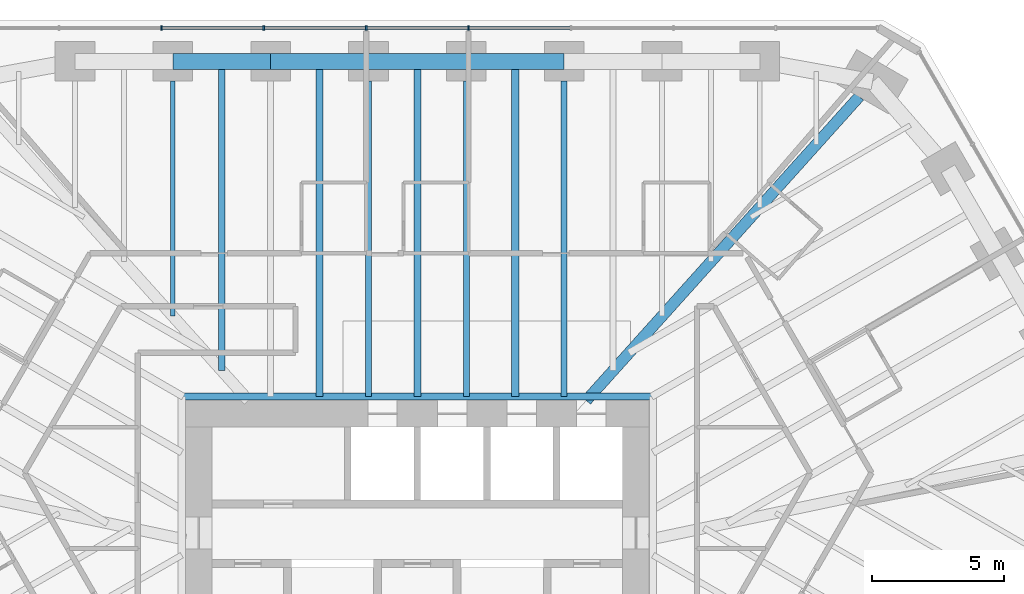
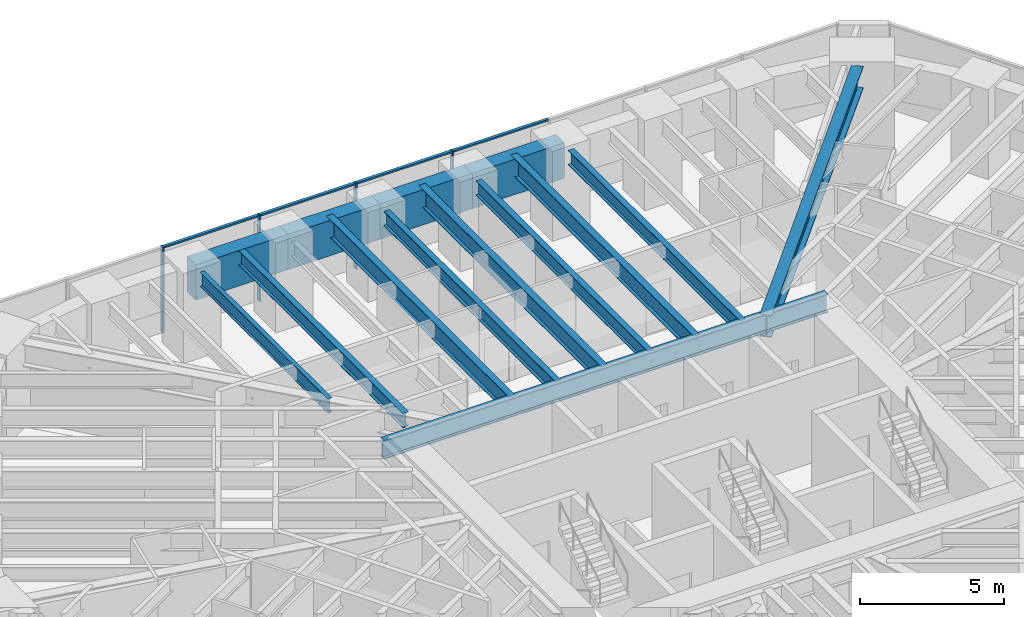
# One storey, part 8 of 16: 14 beams, 8 members, 1 element without a shape of its own.
"""IFC4 building model written with IfcOpenShell, lengths in metres."""

import ifcopenshell
import ifcopenshell.guid

model = None  # the IFC model being written
_history = None  # IfcOwnerHistory: only IFC2X3 demands one
_inside = {}  # id of a spatial element -> (the spatial element, [elements in it])
_under = {}  # id of a project, library or spatial element -> (it, [spatial elements below it])
_declared = {}  # id of a project -> (the project, [libraries it declares])
_typed = {}  # id of a type object -> (the type object, [elements of that type])
_made_of = {}  # id of a material, layer set ... -> (it, [elements and type objects made of it])


def new_model(schema):
    """Start an empty IFC model of exactly this schema.

    Asked for "IFC4X3", IfcOpenShell would pick the latest addendum, in which some entities
    have other attributes; the version numbers below select the first issue.
    IFC2X3 requires an IfcOwnerHistory on every rooted entity: one is made here for all.
    """
    global model, _history
    if schema == "IFC4X3":
        model = ifcopenshell.file(schema_version=(4, 3, 0, 0))
    else:
        model = ifcopenshell.file(schema=schema)
    _inside.clear()
    _under.clear()
    _declared.clear()
    _typed.clear()
    _made_of.clear()
    _history = None
    if model.schema == "IFC2X3":
        org = make("IfcOrganization", Name="unknown")
        user = make(
            "IfcPersonAndOrganization",
            ThePerson=make("IfcPerson", FamilyName="unknown"),
            TheOrganization=org,
        )
        app = make(
            "IfcApplication",
            ApplicationDeveloper=org,
            Version="unknown",
            ApplicationFullName="unknown",
            ApplicationIdentifier="unknown",
        )
        _history = make(
            "IfcOwnerHistory",
            OwningUser=user,
            OwningApplication=app,
            ChangeAction="ADDED",
            CreationDate=0,
        )
    return model


def make(cls, **values):
    """One entity of the class cls with the attributes given. An attribute that is None is left unset."""
    return model.create_entity(
        cls, **{name: value for name, value in values.items() if value is not None}
    )


def rooted(cls, **values):
    """An entity with a GlobalId (a new one), such as an element, a storey or a relation."""
    return make(cls, GlobalId=ifcopenshell.guid.new(), OwnerHistory=_history, **values)


def si_unit(unit_type, name, prefix=None):
    """IfcSIUnit, for example si_unit("LENGTHUNIT", "METRE", prefix="MILLI")."""
    return make("IfcSIUnit", UnitType=unit_type, Prefix=prefix, Name=name)


def assignment(units):
    """IfcUnitAssignment: the units of a project."""
    return None if units is None else make("IfcUnitAssignment", Units=units)


def point(xyz):
    """IfcCartesianPoint."""
    return None if xyz is None else make("IfcCartesianPoint", Coordinates=xyz)


def direction(xyz):
    """IfcDirection."""
    return None if xyz is None else make("IfcDirection", DirectionRatios=xyz)


def frame(location, z_axis=None, x_axis=None):
    """IfcAxis2Placement3D, a coordinate frame: its origin and axes. An axis left out is left unset."""
    return make(
        "IfcAxis2Placement3D",
        Location=point(location),
        Axis=direction(z_axis),
        RefDirection=direction(x_axis),
    )


def frame_2d(location, x_axis=None):
    """IfcAxis2Placement2D, a coordinate frame in the plane: its origin and x axis."""
    return make(
        "IfcAxis2Placement2D", Location=point(location), RefDirection=direction(x_axis)
    )


def origin():
    """The frame at (0, 0, 0) with its axes left unset."""
    return frame((0.0, 0.0, 0.0))


def origin_2d():
    """The frame at (0, 0) in the plane with its x axis left unset."""
    return frame_2d((0.0, 0.0))


def place(relative_to, where):
    """IfcLocalPlacement: puts the frame where relative to a parent placement (None: the world)."""
    return make(
        "IfcLocalPlacement", PlacementRelTo=relative_to, RelativePlacement=where
    )


def context(
    kind, dimensions, precision=None, world=None, true_north=None, identifier=None
):
    """IfcGeometricRepresentationContext, for example the 3D "Model" context."""
    return make(
        "IfcGeometricRepresentationContext",
        ContextIdentifier=identifier,
        ContextType=kind,
        CoordinateSpaceDimension=dimensions,
        Precision=precision,
        WorldCoordinateSystem=world,
        TrueNorth=true_north,
    )


def subcontext(parent, identifier, kind, view, scale=None):
    """IfcGeometricRepresentationSubContext, for example "Body" below "Model"."""
    return make(
        "IfcGeometricRepresentationSubContext",
        ContextIdentifier=identifier,
        ContextType=kind,
        ParentContext=parent,
        TargetScale=scale,
        TargetView=view,
    )


def project(units=None, contexts=None):
    """IfcProject with its units and contexts."""
    return rooted(
        "IfcProject",
        Name="project",
        RepresentationContexts=contexts,
        UnitsInContext=assignment(units),
    )


def spatial(cls, under=None, at=None, **own):
    """A site, building, storey or space (cls), placed at a placement, below another one or the project."""
    s = rooted(cls, ObjectPlacement=at, **own)
    if under is not None:
        _under.setdefault(under.id(), (under, []))[1].append(s)
    return s


def profile(cls, at=None, kind="AREA", **sizes):
    """A parametric profile (cls). Its sizes go by their IFC names, for example OverallWidth=200.0."""
    return make(cls, ProfileType=kind, Position=at, **sizes)


def rectangle(**sizes):
    """IfcRectangleProfileDef."""
    return profile("IfcRectangleProfileDef", **sizes)


def i_section(**sizes):
    """IfcIShapeProfileDef."""
    return profile("IfcIShapeProfileDef", **sizes)


def extrude(swept, where, along, depth):
    """IfcExtrudedAreaSolid: the profile swept, set in the frame where, extruded along a direction by depth."""
    return make(
        "IfcExtrudedAreaSolid",
        SweptArea=swept,
        Position=where,
        ExtrudedDirection=direction(along),
        Depth=depth,
    )


def shape(context_of_items, identifier, shape_type, items):
    """IfcShapeRepresentation: the items that make up one representation, for example the "Body"."""
    return make(
        "IfcShapeRepresentation",
        ContextOfItems=context_of_items,
        RepresentationIdentifier=identifier,
        RepresentationType=shape_type,
        Items=items,
    )


def material(Name=None, Category=None):
    """IfcMaterial."""
    return make("IfcMaterial", Name=Name, Category=Category)


def material_profile(
    of_material, cross_section, Name=None, Category=None, Priority=None
):
    """IfcMaterialProfile: a cross section and its material."""
    return make(
        "IfcMaterialProfile",
        Name=Name,
        Material=of_material,
        Profile=cross_section,
        Priority=Priority,
        Category=Category,
    )


def profile_set(profiles, Name=None, composite=None):
    """IfcMaterialProfileSet."""
    return make(
        "IfcMaterialProfileSet",
        Name=Name,
        MaterialProfiles=profiles,
        CompositeProfile=composite,
    )


def made_of(thing, what):
    """Note that an element or type object is made of a material, layer set ...; save() writes the relation."""
    if what is not None:
        _made_of.setdefault(what.id(), (what, []))[1].append(thing)
    return thing


def type_object(cls, material=None, **own):
    """A type object (cls), such as IfcWallType, which elements share."""
    return made_of(rooted(cls, **own), material)


def element(
    cls,
    number,
    at=None,
    inside=None,
    cuts=None,
    type_object=None,
    material=None,
    context=None,
    identifier="Body",
    shape_type=None,
    held_by="IfcProductDefinitionShape",
    body=None,
    shapes=None,
    **own,
):
    """One element of the class cls, such as IfcWall. Its Tag is "e" and its number.

    at: its placement. inside: the storey or other place that contains it. cuts: it is an
    opening in that element (IfcRelVoidsElement). A single representation is given by context,
    identifier, shape_type and body (its items); several are given by shapes. held_by: the class
    of the entity that holds the representations. save() writes the other relations.
    """
    e = rooted(cls, Tag="e%d" % number, ObjectPlacement=at, **own)
    if body is not None:
        shapes = [shape(context, identifier, shape_type, body)]
    if shapes is not None:
        e.Representation = make(held_by, Representations=shapes)
    if inside is not None:
        _inside.setdefault(inside.id(), (inside, []))[1].append(e)
    if cuts is not None:
        rooted(
            "IfcRelVoidsElement", RelatingBuildingElement=cuts, RelatedOpeningElement=e
        )
    if type_object is not None:
        _typed.setdefault(type_object.id(), (type_object, []))[1].append(e)
    return made_of(e, material)


def aggregate(whole, parts):
    """IfcRelAggregates: a whole, such as a stair, and the parts it consists of."""
    return rooted("IfcRelAggregates", RelatingObject=whole, RelatedObjects=parts)


def save(model, path):
    """Write the relations noted so far, then the file.

    IfcRelAggregates (storeys below a building ...), IfcRelContainedInSpatialStructure (elements
    in a storey), IfcRelDefinesByType, IfcRelAssociatesMaterial and IfcRelDeclares: one each for
    every whole, place, type object, material and project.
    """
    for whole, parts in _under.values():
        aggregate(whole, parts)
    for where, things in _inside.values():
        rooted(
            "IfcRelContainedInSpatialStructure",
            RelatedElements=things,
            RelatingStructure=where,
        )
    for kind, things in _typed.values():
        rooted("IfcRelDefinesByType", RelatedObjects=things, RelatingType=kind)
    for what, things in _made_of.values():
        rooted("IfcRelAssociatesMaterial", RelatedObjects=things, RelatingMaterial=what)
    for by, libraries in _declared.values():
        rooted("IfcRelDeclares", RelatingContext=by, RelatedDefinitions=libraries)
    model.write(path)


model = new_model("IFC4")

# Units and contexts
model_context = context("Model", 3, precision=1e-05, world=origin(), true_north=direction((0.0, 1.0)))
body_context = subcontext(model_context, "Body", "Model", "MODEL_VIEW")
ifc_project = project(units=[si_unit("LENGTHUNIT", "METRE"), si_unit("AREAUNIT", "SQUARE_METRE"), si_unit("VOLUMEUNIT", "CUBIC_METRE"), si_unit("PLANEANGLEUNIT", "RADIAN"), si_unit("MASSUNIT", "GRAM", prefix="KILO")], contexts=[model_context])

# Site, building, storey
site_placement = place(None, origin())
site = spatial("IfcSite", under=ifc_project, at=site_placement, CompositionType="ELEMENT")
building_placement = place(site_placement, origin())
building = spatial("IfcBuilding", under=site, at=building_placement, Name="Sandreach Pilgrim Tower", CompositionType="ELEMENT")
storey_placement = place(building_placement, frame((0.0, 0.0, 190.800048828125)))
storey = spatial("IfcBuildingStorey", under=building, at=storey_placement, Name="L47", CompositionType="ELEMENT", Elevation=190.800048828125)

# Curtain wall, members
ifc_material_1 = material(Name="Aluminium framed curtain wall", Category="aluminium")
curtain_wall_type = type_object("IfcCurtainWallType", Name="Upper hotel tower curtain wall", PredefinedType="NOTDEFINED", material=ifc_material_1)
curtain_wall_placement = place(storey_placement, origin())
curtain_wall = element("IfcCurtainWall", 1, at=curtain_wall_placement, inside=storey, type_object=curtain_wall_type, Name="CW-3 L47 N", PredefinedType="NOTDEFINED")
ifc_material_2 = material(Name="Aluminium extrusion", Category="aluminium")
ifc_material_profile_1 = material_profile(ifc_material_2, rectangle(XDim=0.06494140625, YDim=0.159912109375, at=origin_2d()), Name="CW-3M 65X160")
ifc_profile_set_1 = profile_set([ifc_material_profile_1], Name="Aluminium extrusion")
member_type_1 = type_object("IfcMemberType", Name="CW-3 mullion", PredefinedType="MULLION", material=ifc_profile_set_1)
member_1_placement = place(storey_placement, frame((-9.6611328125, 21.16015625, 0.0), z_axis=(0.0, 0.0, 1.0), x_axis=(1.0, 0.0, 0.0)))
member_1 = element("IfcMember", 2, at=member_1_placement, type_object=member_type_1, Name="CW-3 mullion 3", PredefinedType="MULLION", context=body_context, shape_type="SweptSolid", body=[
    extrude(rectangle(XDim=0.06494140625, YDim=0.159912109375, at=origin_2d()), origin(), (0.0, 0.0, 1.0), 3.639892578125),
])
member_2_placement = place(storey_placement, frame((-5.796630859375, 21.16015625, 0.0), z_axis=(0.0, 0.0, 1.0), x_axis=(1.0, 0.0, 0.0)))
member_2 = element("IfcMember", 3, at=member_2_placement, type_object=member_type_1, Name="CW-3 mullion 4", PredefinedType="MULLION", context=body_context, shape_type="SweptSolid", body=[
    extrude(rectangle(XDim=0.06494140625, YDim=0.159912109375, at=origin_2d()), origin(), (0.0, 0.0, 1.0), 3.639892578125),
])
member_3_placement = place(storey_placement, frame((-1.93212890625, 21.16015625, 0.0), z_axis=(0.0, 0.0, 1.0), x_axis=(1.0, 0.0, 0.0)))
member_3 = element("IfcMember", 4, at=member_3_placement, type_object=member_type_1, Name="CW-3 mullion 5", PredefinedType="MULLION", context=body_context, shape_type="SweptSolid", body=[
    extrude(rectangle(XDim=0.06494140625, YDim=0.159912109375, at=origin_2d()), origin(), (0.0, 0.0, 1.0), 3.639892578125),
])
member_4_placement = place(storey_placement, frame((1.93212890625, 21.16015625, 0.0), z_axis=(0.0, 0.0, 1.0), x_axis=(1.0, 0.0, 0.0)))
member_4 = element("IfcMember", 5, at=member_4_placement, type_object=member_type_1, Name="CW-3 mullion 6", PredefinedType="MULLION", context=body_context, shape_type="SweptSolid", body=[
    extrude(rectangle(XDim=0.06494140625, YDim=0.159912109375, at=origin_2d()), origin(), (0.0, 0.0, 1.0), 3.639892578125),
])
ifc_material_3 = material(Name="Aluminium extrusion", Category="aluminium")
ifc_material_profile_2 = material_profile(ifc_material_3, rectangle(XDim=0.1201171875, YDim=0.070068359375, at=origin_2d()), Name="CW-3T 120X70")
ifc_profile_set_2 = profile_set([ifc_material_profile_2], Name="Aluminium extrusion")
member_type_2 = type_object("IfcMemberType", Name="CW-3 transom", PredefinedType="USERDEFINED", material=ifc_profile_set_2)
member_5_placement = place(storey_placement, frame((-9.628662109375, 21.16015625, 3.60498046875), z_axis=(1.0, 0.0, 0.0), x_axis=(0.0, 1.0, 0.0)))
member_5 = element("IfcMember", 6, at=member_5_placement, type_object=member_type_2, Name="CW-3 head transom 3", ObjectType="TRANSOM", PredefinedType="USERDEFINED", context=body_context, shape_type="SweptSolid", body=[
    extrude(rectangle(XDim=0.1201171875, YDim=0.070068359375, at=origin_2d()), origin(), (0.0, 0.0, 1.0), 3.799560546875),
])
member_6_placement = place(storey_placement, frame((-5.76416015625, 21.16015625, 3.60498046875), z_axis=(1.0, 0.0, 0.0), x_axis=(0.0, 1.0, 0.0)))
member_6 = element("IfcMember", 7, at=member_6_placement, type_object=member_type_2, Name="CW-3 head transom 4", ObjectType="TRANSOM", PredefinedType="USERDEFINED", context=body_context, shape_type="SweptSolid", body=[
    extrude(rectangle(XDim=0.1201171875, YDim=0.070068359375, at=origin_2d()), origin(), (0.0, 0.0, 1.0), 3.799560546875),
])
member_7_placement = place(storey_placement, frame((-1.899658203125, 21.16015625, 3.60498046875), z_axis=(1.0, 0.0, 0.0), x_axis=(0.0, 1.0, 0.0)))
member_7 = element("IfcMember", 8, at=member_7_placement, type_object=member_type_2, Name="CW-3 head transom 5", ObjectType="TRANSOM", PredefinedType="USERDEFINED", context=body_context, shape_type="SweptSolid", body=[
    extrude(rectangle(XDim=0.1201171875, YDim=0.070068359375, at=origin_2d()), origin(), (0.0, 0.0, 1.0), 3.79931640625),
])
member_8_placement = place(storey_placement, frame((1.964599609375, 21.16015625, 3.60498046875), z_axis=(1.0, 0.0, 0.0), x_axis=(0.0, 1.0, 0.0)))
member_8 = element("IfcMember", 9, at=member_8_placement, type_object=member_type_2, Name="CW-3 head transom 6", ObjectType="TRANSOM", PredefinedType="USERDEFINED", context=body_context, shape_type="SweptSolid", body=[
    extrude(rectangle(XDim=0.1201171875, YDim=0.070068359375, at=origin_2d()), origin(), (0.0, 0.0, 1.0), 3.799560546875),
])
aggregate(curtain_wall, [member_1, member_2, member_3, member_4, member_5, member_6, member_7, member_8])

# Beams
ifc_material_4 = material(Name="Steel ASTM A992 Grade 50", Category="steel")
ifc_material_profile_3 = material_profile(ifc_material_4, i_section(OverallWidth=0.2666015625, OverallDepth=0.77978515625, WebThickness=0.0166015625, FlangeThickness=0.030029296875, at=origin_2d()), Name="W30X148")
ifc_profile_set_3 = profile_set([ifc_material_profile_3], Name="Steel ASTM A992 Grade 50")
beam_type_1 = type_object("IfcBeamType", Name="Core edge beam W30X148", PredefinedType="BEAM", material=ifc_profile_set_3)
beam_1_placement = place(storey_placement, frame((-8.893310546875, 7.243408203125, 3.25), z_axis=(1.0, 0.0, 0.0), x_axis=(0.0, 1.0, 0.0)))
element("IfcBeam", 10, at=beam_1_placement, inside=storey, type_object=beam_type_1, Name="BM L47 CEN", PredefinedType="BEAM", context=body_context, shape_type="SweptSolid", body=[
    extrude(i_section(OverallWidth=0.2666015625, OverallDepth=0.77978515625, WebThickness=0.0166015625, FlangeThickness=0.030029296875, at=origin_2d()), origin(), (0.0, 0.0, 1.0), 17.78662109375),
])
ifc_material_5 = material(Name="Steel ASTM A992 Grade 50", Category="steel")
ifc_material_profile_4 = material_profile(ifc_material_5, i_section(OverallWidth=0.421630859375, OverallDepth=0.937255859375, WebThickness=0.0224609375, FlangeThickness=0.039794921875, at=origin_2d()), Name="W36X282")
ifc_profile_set_4 = profile_set([ifc_material_profile_4], Name="Steel ASTM A992 Grade 50")
beam_type_2 = type_object("IfcBeamType", Name="Corner girder W36X282", PredefinedType="BEAM", material=ifc_profile_set_4)
beam_2_placement = place(storey_placement, frame((16.677001953125, 18.572509765625, 3.17138671875), z_axis=(-0.668116607722, -0.744056582853, 0.0), x_axis=(0.744056582853, -0.668116607722, 0.0)))
element("IfcBeam", 11, at=beam_2_placement, inside=storey, type_object=beam_type_2, Name="BM L47 CG09", PredefinedType="BEAM", context=body_context, shape_type="SweptSolid", body=[
    extrude(i_section(OverallWidth=0.421630859375, OverallDepth=0.937255859375, WebThickness=0.0224609375, FlangeThickness=0.039794921875, at=origin_2d()), origin(), (0.0, 0.0, 1.0), 15.418701171875),
])
ifc_material_6 = material(Name="Steel ASTM A992 Grade 50", Category="steel")
ifc_material_profile_5 = material_profile(ifc_material_6, i_section(OverallWidth=0.1787109375, OverallDepth=0.60205078125, WebThickness=0.010986328125, FlangeThickness=0.014892578125, at=origin_2d()), Name="W24X62")
ifc_profile_set_5 = profile_set([ifc_material_profile_5], Name="Steel ASTM A992 Grade 50")
beam_type_3 = type_object("IfcBeamType", Name="Floor beam W24X62", PredefinedType="BEAM", material=ifc_profile_set_5)
beam_3_placement = place(storey_placement, frame((-9.231201171875, 19.150146484375, 3.3388671875), z_axis=(0.0, -1.0, 0.0), x_axis=(1.0, 0.0, 0.0)))
element("IfcBeam", 12, at=beam_3_placement, inside=storey, type_object=beam_type_3, Name="BM L47 F02", PredefinedType="BEAM", context=body_context, shape_type="SweptSolid", body=[
    extrude(i_section(OverallWidth=0.1787109375, OverallDepth=0.60205078125, WebThickness=0.010986328125, FlangeThickness=0.014892578125, at=origin_2d()), origin(), (0.0, 0.0, 1.0), 8.86962890625),
])
ifc_material_7 = material(Name="Steel ASTM A992 Grade 50", Category="steel")
ifc_material_profile_6 = material_profile(ifc_material_7, i_section(OverallWidth=0.23046875, OverallDepth=0.6171875, WebThickness=0.01318359375, FlangeThickness=0.022216796875, at=origin_2d()), Name="W24X94")
ifc_profile_set_6 = profile_set([ifc_material_profile_6], Name="Steel ASTM A992 Grade 50")
beam_type_4 = type_object("IfcBeamType", Name="Floor beam W24X94", PredefinedType="BEAM", material=ifc_profile_set_6)
for number, where, z_axis, x_axis, name in (
    (13, (-1.84619140625, 19.150146484375, 3.331298828125), (0.0, -1.0, 0.0), (1.0, 0.0, 0.0), "BM L47 F04"),
    (14, (1.84619140625, 19.150146484375, 3.331298828125), (0.0, -1.0, 0.0), (1.0, 0.0, 0.0), "BM L47 F05"),
    (15, (5.538818359375, 19.150146484375, 3.331298828125), (0.0, -1.0, 0.0), (1.0, 0.0, 0.0), "BM L47 F06"),
):
    element("IfcBeam", number, at=place(storey_placement, frame(where, z_axis=z_axis, x_axis=x_axis)), inside=storey, type_object=beam_type_4, Name=name, PredefinedType="BEAM", context=body_context, shape_type="SweptSolid", body=[
        extrude(i_section(OverallWidth=0.23046875, OverallDepth=0.6171875, WebThickness=0.01318359375, FlangeThickness=0.022216796875, at=origin_2d()), origin(), (0.0, 0.0, 1.0), 11.90673828125),
    ])
beam_4_placement = place(storey_placement, frame((-7.385009765625, 19.900146484375, 3.331298828125), z_axis=(0.0, -1.0, 0.0), x_axis=(1.0, 0.0, 0.0)))
element("IfcBeam", 16, at=beam_4_placement, inside=storey, type_object=beam_type_4, Name="BM L47 FM02", PredefinedType="BEAM", context=body_context, shape_type="SweptSolid", body=[
    extrude(i_section(OverallWidth=0.23046875, OverallDepth=0.6171875, WebThickness=0.01318359375, FlangeThickness=0.022216796875, at=origin_2d()), origin(), (0.0, 0.0, 1.0), 11.67578125),
])
ifc_material_8 = material(Name="Steel ASTM A992 Grade 50", Category="steel")
ifc_material_profile_7 = material_profile(ifc_material_8, i_section(OverallWidth=0.2666015625, OverallDepth=0.761962890625, WebThickness=0.014404296875, FlangeThickness=0.021484375, at=origin_2d()), Name="W30X116")
ifc_profile_set_7 = profile_set([ifc_material_profile_7], Name="Steel ASTM A992 Grade 50")
beam_type_5 = type_object("IfcBeamType", Name="Floor beam W30X116", PredefinedType="BEAM", material=ifc_profile_set_7)
for number, where, z_axis, x_axis, name in (
    (17, (-3.6923828125, 19.900146484375, 3.259033203125), (0.0, -1.0, 0.0), (1.0, 0.0, 0.0), "BM L47 FM03"),
    (18, (0.0, 19.900146484375, 3.259033203125), (0.0, -1.0, 0.0), (1.0, 0.0, 0.0), "BM L47 FM04"),
    (19, (3.6923828125, 19.900146484375, 3.259033203125), (0.0, -1.0, 0.0), (1.0, 0.0, 0.0), "BM L47 FM05"),
):
    element("IfcBeam", number, at=place(storey_placement, frame(where, z_axis=z_axis, x_axis=x_axis)), inside=storey, type_object=beam_type_5, Name=name, PredefinedType="BEAM", context=body_context, shape_type="SweptSolid", body=[
        extrude(i_section(OverallWidth=0.2666015625, OverallDepth=0.761962890625, WebThickness=0.014404296875, FlangeThickness=0.021484375, at=origin_2d()), origin(), (0.0, 0.0, 1.0), 12.65673828125),
    ])
ifc_material_9 = material(Name="Concrete 10000 psi", Category="concrete")
ifc_material_profile_8 = material_profile(ifc_material_9, rectangle(XDim=0.60009765625, YDim=1.5, at=origin_2d()), Name="RC600X1500")
ifc_profile_set_8 = profile_set([ifc_material_profile_8], Name="Concrete 10000 psi")
beam_type_6 = type_object("IfcBeamType", Name="Spandrel beam RC600X1500", PredefinedType="SPANDREL", material=ifc_profile_set_8)
beam_5_placement = place(storey_placement, frame((-9.231201171875, 19.900146484375, 2.889892578125), z_axis=(1.0, 0.0, 0.0), x_axis=(0.0, 1.0, 0.0)))
element("IfcBeam", 20, at=beam_5_placement, inside=storey, type_object=beam_type_6, Name="BM L47 SP02", PredefinedType="SPANDREL", context=body_context, shape_type="SweptSolid", body=[
    extrude(rectangle(XDim=0.60009765625, YDim=1.5, at=origin_2d()), origin(), (0.0, 0.0, 1.0), 3.6923828125),
])
beam_6_placement = place(storey_placement, frame((-5.538818359375, 19.900146484375, 2.889892578125), z_axis=(1.0, 0.0, 0.0), x_axis=(0.0, 1.0, 0.0)))
element("IfcBeam", 21, at=beam_6_placement, inside=storey, type_object=beam_type_6, Name="BM L47 SP03", PredefinedType="SPANDREL", context=body_context, shape_type="SweptSolid", body=[
    extrude(rectangle(XDim=0.60009765625, YDim=1.5, at=origin_2d()), origin(), (0.0, 0.0, 1.0), 3.692626953125),
])
beam_7_placement = place(storey_placement, frame((-1.84619140625, 19.900146484375, 2.889892578125), z_axis=(1.0, 0.0, 0.0), x_axis=(0.0, 1.0, 0.0)))
element("IfcBeam", 22, at=beam_7_placement, inside=storey, type_object=beam_type_6, Name="BM L47 SP04", PredefinedType="SPANDREL", context=body_context, shape_type="SweptSolid", body=[
    extrude(rectangle(XDim=0.60009765625, YDim=1.5, at=origin_2d()), origin(), (0.0, 0.0, 1.0), 3.6923828125),
])
beam_8_placement = place(storey_placement, frame((1.84619140625, 19.900146484375, 2.889892578125), z_axis=(1.0, 0.0, 0.0), x_axis=(0.0, 1.0, 0.0)))
element("IfcBeam", 23, at=beam_8_placement, inside=storey, type_object=beam_type_6, Name="BM L47 SP05", PredefinedType="SPANDREL", context=body_context, shape_type="SweptSolid", body=[
    extrude(rectangle(XDim=0.60009765625, YDim=1.5, at=origin_2d()), origin(), (0.0, 0.0, 1.0), 3.692626953125),
])

save(model, "model.ifc")
